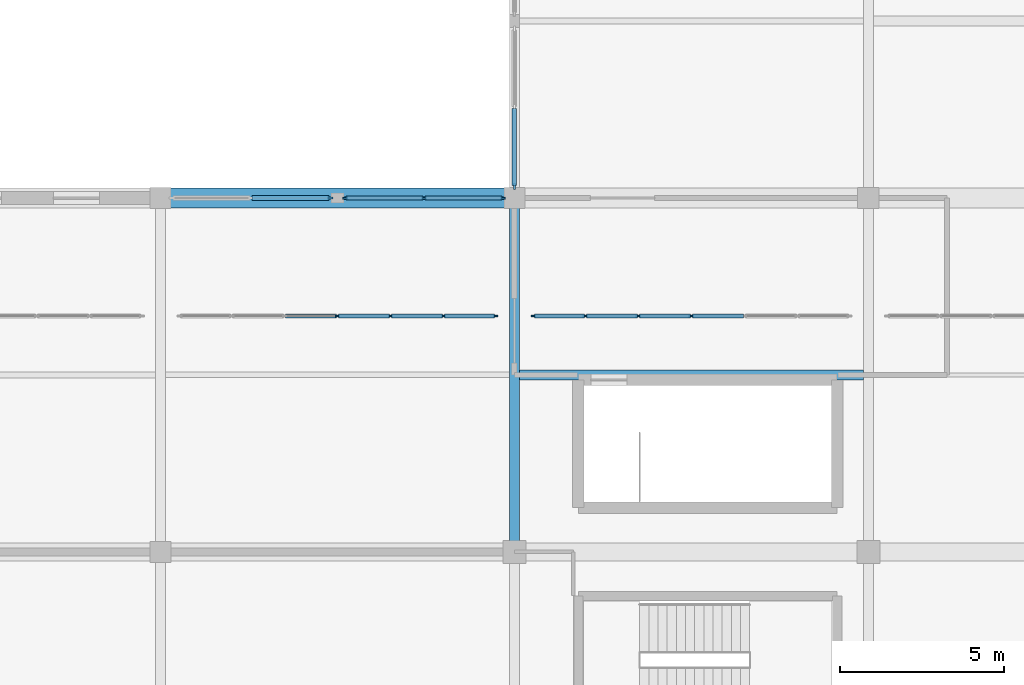
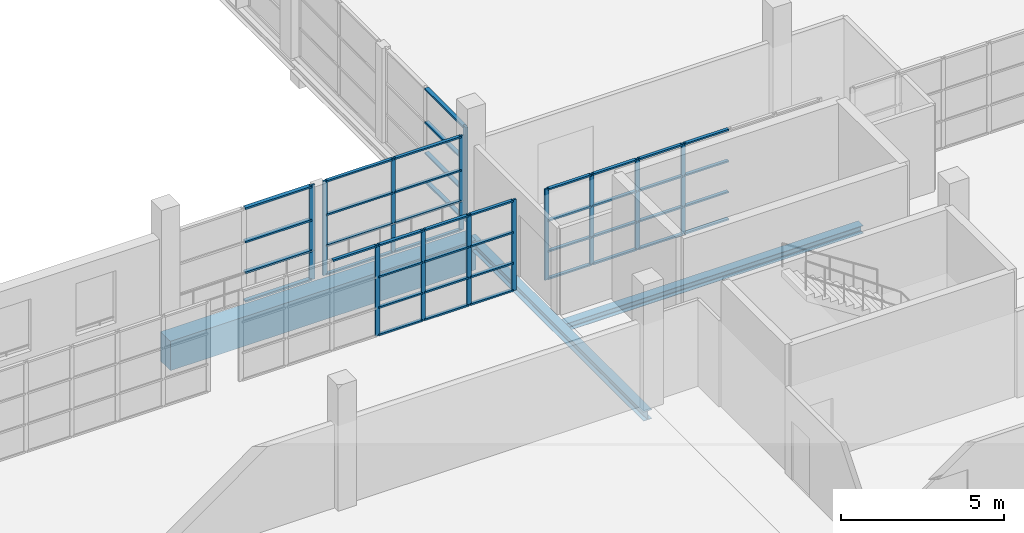
# One storey, part 60 of 142: 58 members, 3 beams, 5 elements without a shape of their own.
"""IFC4 building model written with IfcOpenShell, lengths in metres."""

from ifc_helpers import new_model, si_unit, direction, frame, origin, origin_2d, place, context, subcontext, project, spatial, rectangle, i_section, extrude, material, material_profile, profile_set, type_object, element, aggregate, save


model = new_model("IFC4")

# Units and contexts
model_context = context("Model", 3, precision=1e-05, world=origin(), true_north=direction((0.0, 1.0)))
body_context = subcontext(model_context, "Body", "Model", "MODEL_VIEW")
ifc_project = project(units=[si_unit("LENGTHUNIT", "METRE"), si_unit("AREAUNIT", "SQUARE_METRE"), si_unit("VOLUMEUNIT", "CUBIC_METRE"), si_unit("PLANEANGLEUNIT", "RADIAN"), si_unit("MASSUNIT", "GRAM", prefix="KILO")], contexts=[model_context])

# Site, building, storey
site_placement = place(None, origin())
site = spatial("IfcSite", under=ifc_project, at=site_placement, CompositionType="ELEMENT")
building_placement = place(site_placement, origin())
building = spatial("IfcBuilding", under=site, at=building_placement, Name="Zwinboog Wholesale Market", CompositionType="ELEMENT")
storey_placement = place(building_placement, frame((0.0, 0.0, 5.39990234375)))
storey = spatial("IfcBuildingStorey", under=building, at=storey_placement, Name="L01", CompositionType="ELEMENT", Elevation=5.39990234375)

# Beams
ifc_material_1 = material(Name="Precast concrete C45/55", Category="concrete")
ifc_material_profile_1 = material_profile(ifc_material_1, rectangle(XDim=0.60009765625, YDim=1.10009765625, at=origin_2d()), Name="PC 600x1100")
ifc_profile_set_1 = profile_set([ifc_material_profile_1], Name="Precast concrete C45/55")
beam_type_1 = type_object("IfcBeamType", Name="BT-01", PredefinedType="BEAM", material=ifc_profile_set_1)
beam_1_placement = place(storey_placement, frame((140.39990234375, 54.0, -0.8818359375), z_axis=(1.0, 0.0, 0.0), x_axis=(0.0, 1.0, 0.0)))
element("IfcBeam", 1, at=beam_1_placement, inside=storey, type_object=beam_type_1, Name="BG-01 (BMG-L01-1404-0540-0486)", PredefinedType="BEAM", context=body_context, shape_type="SweptSolid", body=[
    extrude(rectangle(XDim=0.60009765625, YDim=1.10009765625, at=origin_2d()), origin(), (0.0, 0.0, 1.0), 10.800048828125),
])
ifc_material_2 = material(Name="Steel S355", Category="steel")
ifc_material_profile_2 = material_profile(ifc_material_2, i_section(OverallWidth=0.300048828125, OverallDepth=0.35009765625, WebThickness=0.010009765625, FlangeThickness=0.017578125, FilletRadius=0.027099609375, at=origin_2d()), Name="HEA 360")
ifc_profile_set_2 = profile_set([ifc_material_profile_2], Name="Steel S355")
beam_type_2 = type_object("IfcBeamType", Name="BT-17", PredefinedType="BEAM", material=ifc_profile_set_2)
beam_2_placement = place(storey_placement, frame((151.199951171875, 43.199951171875, -0.5068359375), z_axis=(0.0, 1.0, 0.0), x_axis=(-1.0, 0.0, 0.0)))
element("IfcBeam", 2, at=beam_2_placement, inside=storey, type_object=beam_type_2, Name="SB-04 (BMG-L01-1512-0432-0725)", PredefinedType="BEAM", context=body_context, shape_type="SweptSolid", body=[
    extrude(i_section(OverallWidth=0.300048828125, OverallDepth=0.35009765625, WebThickness=0.010009765625, FlangeThickness=0.017578125, FilletRadius=0.027099609375, at=origin_2d()), origin(), (0.0, 0.0, 1.0), 10.800048828125),
])
ifc_material_profile_3 = material_profile(ifc_material_2, i_section(OverallWidth=0.300048828125, OverallDepth=0.2900390625, WebThickness=0.008544921875, FlangeThickness=0.013916015625, FilletRadius=0.027099609375, at=origin_2d()), Name="HEA 300")
ifc_profile_set_3 = profile_set([ifc_material_profile_3], Name="Steel S355")
beam_type_3 = type_object("IfcBeamType", Name="BT-18", PredefinedType="JOIST", material=ifc_profile_set_3)
beam_3_placement = place(storey_placement, frame((151.35009765625, 48.60009765625, -0.476806640625), z_axis=(1.0, 0.0, 0.0), x_axis=(0.0, 1.0, 0.0)))
element("IfcBeam", 3, at=beam_3_placement, inside=storey, type_object=beam_type_3, Name="SJ-01 (BMG-L01-1514-0486-0846)", PredefinedType="JOIST", context=body_context, shape_type="SweptSolid", body=[
    extrude(i_section(OverallWidth=0.300048828125, OverallDepth=0.2900390625, WebThickness=0.008544921875, FlangeThickness=0.013916015625, FilletRadius=0.027099609375, at=origin_2d()), origin(), (0.0, 0.0, 1.0), 10.5),
])

# Curtain wall, member
ifc_material_3 = material(Name="Aluminium thermally broken curtain wall", Category="aluminium")
curtain_wall_type_1 = type_object("IfcCurtainWallType", Name="CWT-HALL-24", PredefinedType="USERDEFINED", material=ifc_material_3)
curtain_wall_1_placement = place(storey_placement, origin())
curtain_wall_1 = element("IfcCurtainWall", 4, at=curtain_wall_1_placement, inside=storey, type_object=curtain_wall_type_1, Name="CW-03 (CW-L01-123)", ObjectType="UNITIZED_CURTAIN_WALL", PredefinedType="USERDEFINED")
ifc_material_4 = material(Name="Aluminium EN AW-6060", Category="aluminium")
ifc_material_profile_4 = material_profile(ifc_material_4, rectangle(XDim=0.06494140625, YDim=0.179931640625, at=origin_2d()), Name="AL 65x180")
ifc_profile_set_4 = profile_set([ifc_material_profile_4], Name="Aluminium EN AW-6060")
member_type_1 = type_object("IfcMemberType", Name="CWM-65x180", PredefinedType="MULLION", material=ifc_profile_set_4)
member_1_placement = place(storey_placement, frame((145.5673828125, 54.0, 0.0), z_axis=(0.0, 0.0, 1.0), x_axis=(0.0, 1.0, 0.0)))
member_1 = element("IfcMember", 5, at=member_1_placement, type_object=member_type_1, Name="CW-03 mullion 3", PredefinedType="MULLION", context=body_context, shape_type="SweptSolid", body=[
    extrude(rectangle(XDim=0.06494140625, YDim=0.179931640625, at=origin_2d()), origin(), (0.0, 0.0, 1.0), 3.530029296875),
])

curtain_wall_type_2 = type_object("IfcCurtainWallType", Name="CWT-STALL-18", PredefinedType="USERDEFINED", material=ifc_material_3)
curtain_wall_2_placement = place(storey_placement, origin())
curtain_wall_2 = element("IfcCurtainWall", 6, at=curtain_wall_2_placement, inside=storey, type_object=curtain_wall_type_2, Name="CW-01 (CW-L01-127)", ObjectType="STOREFRONT_GLAZING", PredefinedType="USERDEFINED")
member_2_placement = place(storey_placement, frame((151.199951171875, 54.3525390625, 0.0), z_axis=(0.0, 0.0, 1.0), x_axis=(-1.0, 0.0, 0.0)))
member_2 = element("IfcMember", 7, at=member_2_placement, type_object=member_type_1, Name="CW-01 mullion 1", PredefinedType="MULLION", context=body_context, shape_type="SweptSolid", body=[
    extrude(rectangle(XDim=0.06494140625, YDim=0.179931640625, at=origin_2d()), origin(), (0.0, 0.0, 1.0), 3.530029296875),
])

# Curtain wall, members
curtain_wall_type_3 = type_object("IfcCurtainWallType", Name="CWT-GAL-16", PredefinedType="USERDEFINED", material=ifc_material_3)
curtain_wall_3_placement = place(storey_placement, origin())
curtain_wall_3 = element("IfcCurtainWall", 8, at=curtain_wall_3_placement, inside=storey, type_object=curtain_wall_type_3, Name="CW-04 (CW-L01-124)", ObjectType="UNITIZED_CURTAIN_WALL", PredefinedType="USERDEFINED")
ifc_material_profile_5 = material_profile(ifc_material_4, rectangle(XDim=0.06005859375, YDim=0.14990234375, at=origin_2d()), Name="AL 60x150")
ifc_profile_set_5 = profile_set([ifc_material_profile_5], Name="Aluminium EN AW-6060")
member_type_2 = type_object("IfcMemberType", Name="CWM-60x150", PredefinedType="MULLION", material=ifc_profile_set_5)
member_3_placement = place(storey_placement, frame((146.030029296875, 54.0, 0.0), z_axis=(0.0, 0.0, 1.0), x_axis=(0.0, 1.0, 0.0)))
member_3 = element("IfcMember", 9, at=member_3_placement, type_object=member_type_2, Name="CW-04 mullion 1", PredefinedType="MULLION", context=body_context, shape_type="SweptSolid", body=[
    extrude(rectangle(XDim=0.06005859375, YDim=0.14990234375, at=origin_2d()), origin(), (0.0, 0.0, 1.0), 3.530029296875),
])
member_4_placement = place(storey_placement, frame((148.43994140625, 54.0, 0.0), z_axis=(0.0, 0.0, 1.0), x_axis=(0.0, 1.0, 0.0)))
member_4 = element("IfcMember", 10, at=member_4_placement, type_object=member_type_2, Name="CW-04 mullion 2", PredefinedType="MULLION", context=body_context, shape_type="SweptSolid", body=[
    extrude(rectangle(XDim=0.06005859375, YDim=0.14990234375, at=origin_2d()), origin(), (0.0, 0.0, 1.0), 3.530029296875),
])
member_5_placement = place(storey_placement, frame((150.85009765625, 54.0, 0.0), z_axis=(0.0, 0.0, 1.0), x_axis=(0.0, 1.0, 0.0)))
member_5 = element("IfcMember", 11, at=member_5_placement, type_object=member_type_2, Name="CW-04 mullion 3", PredefinedType="MULLION", context=body_context, shape_type="SweptSolid", body=[
    extrude(rectangle(XDim=0.06005859375, YDim=0.14990234375, at=origin_2d()), origin(), (0.0, 0.0, 1.0), 3.530029296875),
])

# Member
ifc_material_profile_6 = material_profile(ifc_material_4, rectangle(XDim=0.139892578125, YDim=0.06494140625, at=origin_2d()), Name="AL 65x140")
ifc_profile_set_6 = profile_set([ifc_material_profile_6], Name="Aluminium EN AW-6060")
member_type_3 = type_object("IfcMemberType", Name="CWT-65x140", PredefinedType="USERDEFINED", material=ifc_profile_set_6)
member_6_placement = place(storey_placement, frame((143.1923828125, 54.0, 0.03271484375), z_axis=(1.0, 0.0, 0.0), x_axis=(0.0, 1.0, 0.0)))
member_6 = element("IfcMember", 12, at=member_6_placement, type_object=member_type_3, Name="CW-03 transom 2.1", ObjectType="TRANSOM", PredefinedType="USERDEFINED", context=body_context, shape_type="SweptSolid", body=[
    extrude(rectangle(XDim=0.139892578125, YDim=0.06494140625, at=origin_2d()), origin(), (0.0, 0.0, 1.0), 2.342529296875),
])

member_7_placement = place(storey_placement, frame((143.1923828125, 54.0, 1.10009765625), z_axis=(1.0, 0.0, 0.0), x_axis=(0.0, 1.0, 0.0)))
member_7 = element("IfcMember", 13, at=member_7_placement, type_object=member_type_3, Name="CW-03 transom 2.2", ObjectType="TRANSOM", PredefinedType="USERDEFINED", context=body_context, shape_type="SweptSolid", body=[
    extrude(rectangle(XDim=0.139892578125, YDim=0.06494140625, at=origin_2d()), origin(), (0.0, 0.0, 1.0), 2.342529296875),
])

member_8_placement = place(storey_placement, frame((143.1923828125, 54.0, 2.25), z_axis=(1.0, 0.0, 0.0), x_axis=(0.0, 1.0, 0.0)))
member_8 = element("IfcMember", 14, at=member_8_placement, type_object=member_type_3, Name="CW-03 transom 2.3", ObjectType="TRANSOM", PredefinedType="USERDEFINED", context=body_context, shape_type="SweptSolid", body=[
    extrude(rectangle(XDim=0.139892578125, YDim=0.06494140625, at=origin_2d()), origin(), (0.0, 0.0, 1.0), 2.342529296875),
])

member_9_placement = place(storey_placement, frame((143.1923828125, 54.0, 3.49755859375), z_axis=(1.0, 0.0, 0.0), x_axis=(0.0, 1.0, 0.0)))
member_9 = element("IfcMember", 15, at=member_9_placement, type_object=member_type_3, Name="CW-03 transom 2.4", ObjectType="TRANSOM", PredefinedType="USERDEFINED", context=body_context, shape_type="SweptSolid", body=[
    extrude(rectangle(XDim=0.139892578125, YDim=0.06494140625, at=origin_2d()), origin(), (0.0, 0.0, 1.0), 2.342529296875),
])

aggregate(curtain_wall_1, [member_1, member_6, member_7, member_8, member_9])

member_10_placement = place(storey_placement, frame((151.199951171875, 54.385009765625, 0.03271484375), z_axis=(0.0, 1.0, 0.0), x_axis=(-1.0, 0.0, 0.0)))
member_10 = element("IfcMember", 16, at=member_10_placement, type_object=member_type_3, Name="CW-01 transom 1.1", ObjectType="TRANSOM", PredefinedType="USERDEFINED", context=body_context, shape_type="SweptSolid", body=[
    extrude(rectangle(XDim=0.139892578125, YDim=0.06494140625, at=origin_2d()), origin(), (0.0, 0.0, 1.0), 2.342529296875),
])

member_11_placement = place(storey_placement, frame((151.199951171875, 54.385009765625, 1.10009765625), z_axis=(0.0, 1.0, 0.0), x_axis=(-1.0, 0.0, 0.0)))
member_11 = element("IfcMember", 17, at=member_11_placement, type_object=member_type_3, Name="CW-01 transom 1.2", ObjectType="TRANSOM", PredefinedType="USERDEFINED", context=body_context, shape_type="SweptSolid", body=[
    extrude(rectangle(XDim=0.139892578125, YDim=0.06494140625, at=origin_2d()), origin(), (0.0, 0.0, 1.0), 2.342529296875),
])

member_12_placement = place(storey_placement, frame((151.199951171875, 54.385009765625, 2.25), z_axis=(0.0, 1.0, 0.0), x_axis=(-1.0, 0.0, 0.0)))
member_12 = element("IfcMember", 18, at=member_12_placement, type_object=member_type_3, Name="CW-01 transom 1.3", ObjectType="TRANSOM", PredefinedType="USERDEFINED", context=body_context, shape_type="SweptSolid", body=[
    extrude(rectangle(XDim=0.139892578125, YDim=0.06494140625, at=origin_2d()), origin(), (0.0, 0.0, 1.0), 2.342529296875),
])

member_13_placement = place(storey_placement, frame((151.199951171875, 54.385009765625, 3.49755859375), z_axis=(0.0, 1.0, 0.0), x_axis=(-1.0, 0.0, 0.0)))
member_13 = element("IfcMember", 19, at=member_13_placement, type_object=member_type_3, Name="CW-01 transom 1.4", ObjectType="TRANSOM", PredefinedType="USERDEFINED", context=body_context, shape_type="SweptSolid", body=[
    extrude(rectangle(XDim=0.139892578125, YDim=0.06494140625, at=origin_2d()), origin(), (0.0, 0.0, 1.0), 2.342529296875),
])

aggregate(curtain_wall_2, [member_2, member_10, member_11, member_12, member_13])

ifc_material_profile_7 = material_profile(ifc_material_4, rectangle(XDim=0.110107421875, YDim=0.06005859375, at=origin_2d()), Name="AL 60x110")
ifc_profile_set_7 = profile_set([ifc_material_profile_7], Name="Aluminium EN AW-6060")
member_type_4 = type_object("IfcMemberType", Name="CWT-60x110", PredefinedType="USERDEFINED", material=ifc_profile_set_7)
member_14_placement = place(storey_placement, frame((146.06005859375, 54.0, 0.030029296875), z_axis=(1.0, 0.0, 0.0), x_axis=(0.0, 1.0, 0.0)))
member_14 = element("IfcMember", 20, at=member_14_placement, type_object=member_type_4, Name="CW-04 transom 1.1", ObjectType="TRANSOM", PredefinedType="USERDEFINED", context=body_context, shape_type="SweptSolid", body=[
    extrude(rectangle(XDim=0.110107421875, YDim=0.06005859375, at=origin_2d()), origin(), (0.0, 0.0, 1.0), 2.349853515625),
])

member_15_placement = place(storey_placement, frame((146.06005859375, 54.0, 1.10009765625), z_axis=(1.0, 0.0, 0.0), x_axis=(0.0, 1.0, 0.0)))
member_15 = element("IfcMember", 21, at=member_15_placement, type_object=member_type_4, Name="CW-04 transom 1.2", ObjectType="TRANSOM", PredefinedType="USERDEFINED", context=body_context, shape_type="SweptSolid", body=[
    extrude(rectangle(XDim=0.110107421875, YDim=0.06005859375, at=origin_2d()), origin(), (0.0, 0.0, 1.0), 2.349853515625),
])

member_16_placement = place(storey_placement, frame((146.06005859375, 54.0, 2.25), z_axis=(1.0, 0.0, 0.0), x_axis=(0.0, 1.0, 0.0)))
member_16 = element("IfcMember", 22, at=member_16_placement, type_object=member_type_4, Name="CW-04 transom 1.3", ObjectType="TRANSOM", PredefinedType="USERDEFINED", context=body_context, shape_type="SweptSolid", body=[
    extrude(rectangle(XDim=0.110107421875, YDim=0.06005859375, at=origin_2d()), origin(), (0.0, 0.0, 1.0), 2.349853515625),
])

member_17_placement = place(storey_placement, frame((146.06005859375, 54.0, 3.5), z_axis=(1.0, 0.0, 0.0), x_axis=(0.0, 1.0, 0.0)))
member_17 = element("IfcMember", 23, at=member_17_placement, type_object=member_type_4, Name="CW-04 transom 1.4", ObjectType="TRANSOM", PredefinedType="USERDEFINED", context=body_context, shape_type="SweptSolid", body=[
    extrude(rectangle(XDim=0.110107421875, YDim=0.06005859375, at=origin_2d()), origin(), (0.0, 0.0, 1.0), 2.349853515625),
])

member_18_placement = place(storey_placement, frame((148.469970703125, 54.0, 0.030029296875), z_axis=(1.0, 0.0, 0.0), x_axis=(0.0, 1.0, 0.0)))
member_18 = element("IfcMember", 24, at=member_18_placement, type_object=member_type_4, Name="CW-04 transom 2.1", ObjectType="TRANSOM", PredefinedType="USERDEFINED", context=body_context, shape_type="SweptSolid", body=[
    extrude(rectangle(XDim=0.110107421875, YDim=0.06005859375, at=origin_2d()), origin(), (0.0, 0.0, 1.0), 2.35009765625),
])

member_19_placement = place(storey_placement, frame((148.469970703125, 54.0, 1.10009765625), z_axis=(1.0, 0.0, 0.0), x_axis=(0.0, 1.0, 0.0)))
member_19 = element("IfcMember", 25, at=member_19_placement, type_object=member_type_4, Name="CW-04 transom 2.2", ObjectType="TRANSOM", PredefinedType="USERDEFINED", context=body_context, shape_type="SweptSolid", body=[
    extrude(rectangle(XDim=0.110107421875, YDim=0.06005859375, at=origin_2d()), origin(), (0.0, 0.0, 1.0), 2.35009765625),
])

member_20_placement = place(storey_placement, frame((148.469970703125, 54.0, 2.25), z_axis=(1.0, 0.0, 0.0), x_axis=(0.0, 1.0, 0.0)))
member_20 = element("IfcMember", 26, at=member_20_placement, type_object=member_type_4, Name="CW-04 transom 2.3", ObjectType="TRANSOM", PredefinedType="USERDEFINED", context=body_context, shape_type="SweptSolid", body=[
    extrude(rectangle(XDim=0.110107421875, YDim=0.06005859375, at=origin_2d()), origin(), (0.0, 0.0, 1.0), 2.35009765625),
])

member_21_placement = place(storey_placement, frame((148.469970703125, 54.0, 3.5), z_axis=(1.0, 0.0, 0.0), x_axis=(0.0, 1.0, 0.0)))
member_21 = element("IfcMember", 27, at=member_21_placement, type_object=member_type_4, Name="CW-04 transom 2.4", ObjectType="TRANSOM", PredefinedType="USERDEFINED", context=body_context, shape_type="SweptSolid", body=[
    extrude(rectangle(XDim=0.110107421875, YDim=0.06005859375, at=origin_2d()), origin(), (0.0, 0.0, 1.0), 2.35009765625),
])

aggregate(curtain_wall_3, [member_3, member_4, member_5, member_14, member_15, member_16, member_17, member_18, member_19, member_20, member_21])

# Curtain wall, members
curtain_wall_type_4 = type_object("IfcCurtainWallType", Name="CWT-INT-STALL", PredefinedType="USERDEFINED", material=ifc_material_3)
curtain_wall_4_placement = place(storey_placement, origin())
curtain_wall_4 = element("IfcCurtainWall", 28, at=curtain_wall_4_placement, inside=storey, type_object=curtain_wall_type_4, Name="CW-07 (CW-STL-232)", ObjectType="STOREFRONT_GLAZING", PredefinedType="USERDEFINED")
ifc_material_profile_8 = material_profile(ifc_material_4, rectangle(XDim=0.06005859375, YDim=0.14990234375, at=origin_2d()), Name="AL 60x150")
ifc_profile_set_8 = profile_set([ifc_material_profile_8], Name="Aluminium EN AW-6060")
member_type_5 = type_object("IfcMemberType", Name="CWM-INT-60x120", PredefinedType="MULLION", material=ifc_profile_set_8)
member_22_placement = place(storey_placement, frame((145.800048828125, 50.39990234375, 0.0), z_axis=(0.0, 0.0, 1.0), x_axis=(0.0, 1.0, 0.0)))
member_22 = element("IfcMember", 29, at=member_22_placement, type_object=member_type_5, Name="CW-07 mullion 4", PredefinedType="MULLION", context=body_context, shape_type="SweptSolid", body=[
    extrude(rectangle(XDim=0.06005859375, YDim=0.14990234375, at=origin_2d()), origin(), (0.0, 0.0, 1.0), 3.400146484375),
])
member_23_placement = place(storey_placement, frame((147.416748046875, 50.39990234375, 0.0), z_axis=(0.0, 0.0, 1.0), x_axis=(0.0, 1.0, 0.0)))
member_23 = element("IfcMember", 30, at=member_23_placement, type_object=member_type_5, Name="CW-07 mullion 5", PredefinedType="MULLION", context=body_context, shape_type="SweptSolid", body=[
    extrude(rectangle(XDim=0.06005859375, YDim=0.14990234375, at=origin_2d()), origin(), (0.0, 0.0, 1.0), 3.400146484375),
])
member_24_placement = place(storey_placement, frame((149.033447265625, 50.39990234375, 0.0), z_axis=(0.0, 0.0, 1.0), x_axis=(0.0, 1.0, 0.0)))
member_24 = element("IfcMember", 31, at=member_24_placement, type_object=member_type_5, Name="CW-07 mullion 6", PredefinedType="MULLION", context=body_context, shape_type="SweptSolid", body=[
    extrude(rectangle(XDim=0.06005859375, YDim=0.14990234375, at=origin_2d()), origin(), (0.0, 0.0, 1.0), 3.400146484375),
])
member_25_placement = place(storey_placement, frame((150.6201171875, 50.39990234375, 0.0), z_axis=(0.0, 0.0, 1.0), x_axis=(0.0, 1.0, 0.0)))
member_25 = element("IfcMember", 32, at=member_25_placement, type_object=member_type_5, Name="CW-07 mullion 7", PredefinedType="MULLION", context=body_context, shape_type="SweptSolid", body=[
    extrude(rectangle(XDim=0.06005859375, YDim=0.14990234375, at=origin_2d()), origin(), (0.0, 0.0, 1.0), 3.400146484375),
])

curtain_wall_5_placement = place(storey_placement, origin())
curtain_wall_5 = element("IfcCurtainWall", 33, at=curtain_wall_5_placement, inside=storey, type_object=curtain_wall_type_4, Name="CW-07 (CW-STL-233)", ObjectType="STOREFRONT_GLAZING", PredefinedType="USERDEFINED")
member_26_placement = place(storey_placement, frame((151.780029296875, 50.39990234375, 0.0), z_axis=(0.0, 0.0, 1.0), x_axis=(0.0, 1.0, 0.0)))
member_26 = element("IfcMember", 34, at=member_26_placement, type_object=member_type_5, Name="CW-07 mullion 1", PredefinedType="MULLION", context=body_context, shape_type="SweptSolid", body=[
    extrude(rectangle(XDim=0.06005859375, YDim=0.14990234375, at=origin_2d()), origin(), (0.0, 0.0, 1.0), 3.400146484375),
])
member_27_placement = place(storey_placement, frame((153.36669921875, 50.39990234375, 0.0), z_axis=(0.0, 0.0, 1.0), x_axis=(0.0, 1.0, 0.0)))
member_27 = element("IfcMember", 35, at=member_27_placement, type_object=member_type_5, Name="CW-07 mullion 2", PredefinedType="MULLION", context=body_context, shape_type="SweptSolid", body=[
    extrude(rectangle(XDim=0.06005859375, YDim=0.14990234375, at=origin_2d()), origin(), (0.0, 0.0, 1.0), 3.400146484375),
])
member_28_placement = place(storey_placement, frame((154.9833984375, 50.39990234375, 0.0), z_axis=(0.0, 0.0, 1.0), x_axis=(0.0, 1.0, 0.0)))
member_28 = element("IfcMember", 36, at=member_28_placement, type_object=member_type_5, Name="CW-07 mullion 3", PredefinedType="MULLION", context=body_context, shape_type="SweptSolid", body=[
    extrude(rectangle(XDim=0.06005859375, YDim=0.14990234375, at=origin_2d()), origin(), (0.0, 0.0, 1.0), 3.400146484375),
])
member_29_placement = place(storey_placement, frame((156.60009765625, 50.39990234375, 0.0), z_axis=(0.0, 0.0, 1.0), x_axis=(0.0, 1.0, 0.0)))
member_29 = element("IfcMember", 37, at=member_29_placement, type_object=member_type_5, Name="CW-07 mullion 4", PredefinedType="MULLION", context=body_context, shape_type="SweptSolid", body=[
    extrude(rectangle(XDim=0.06005859375, YDim=0.14990234375, at=origin_2d()), origin(), (0.0, 0.0, 1.0), 3.400146484375),
])

# Member
ifc_material_profile_9 = material_profile(ifc_material_4, rectangle(XDim=0.110107421875, YDim=0.06005859375, at=origin_2d()), Name="AL 60x110")
ifc_profile_set_9 = profile_set([ifc_material_profile_9], Name="Aluminium EN AW-6060")
member_type_6 = type_object("IfcMemberType", Name="CWT-INT-60x100", PredefinedType="USERDEFINED", material=ifc_profile_set_9)
member_30_placement = place(storey_placement, frame((144.21337890625, 50.39990234375, 3.3701171875), z_axis=(1.0, 0.0, 0.0), x_axis=(0.0, 1.0, 0.0)))
member_30 = element("IfcMember", 38, at=member_30_placement, type_object=member_type_6, Name="CW-07 transom 3.4", ObjectType="TRANSOM", PredefinedType="USERDEFINED", context=body_context, shape_type="SweptSolid", body=[
    extrude(rectangle(XDim=0.110107421875, YDim=0.06005859375, at=origin_2d()), origin(), (0.0, 0.0, 1.0), 1.556640625),
])

member_31_placement = place(storey_placement, frame((145.830078125, 50.39990234375, 0.030029296875), z_axis=(1.0, 0.0, 0.0), x_axis=(0.0, 1.0, 0.0)))
member_31 = element("IfcMember", 39, at=member_31_placement, type_object=member_type_6, Name="CW-07 transom 4.1", ObjectType="TRANSOM", PredefinedType="USERDEFINED", context=body_context, shape_type="SweptSolid", body=[
    extrude(rectangle(XDim=0.110107421875, YDim=0.06005859375, at=origin_2d()), origin(), (0.0, 0.0, 1.0), 1.556640625),
])

member_32_placement = place(storey_placement, frame((145.830078125, 50.39990234375, 1.050048828125), z_axis=(1.0, 0.0, 0.0), x_axis=(0.0, 1.0, 0.0)))
member_32 = element("IfcMember", 40, at=member_32_placement, type_object=member_type_6, Name="CW-07 transom 4.2", ObjectType="TRANSOM", PredefinedType="USERDEFINED", context=body_context, shape_type="SweptSolid", body=[
    extrude(rectangle(XDim=0.110107421875, YDim=0.06005859375, at=origin_2d()), origin(), (0.0, 0.0, 1.0), 1.556640625),
])

member_33_placement = place(storey_placement, frame((145.830078125, 50.39990234375, 2.2001953125), z_axis=(1.0, 0.0, 0.0), x_axis=(0.0, 1.0, 0.0)))
member_33 = element("IfcMember", 41, at=member_33_placement, type_object=member_type_6, Name="CW-07 transom 4.3", ObjectType="TRANSOM", PredefinedType="USERDEFINED", context=body_context, shape_type="SweptSolid", body=[
    extrude(rectangle(XDim=0.110107421875, YDim=0.06005859375, at=origin_2d()), origin(), (0.0, 0.0, 1.0), 1.556640625),
])

member_34_placement = place(storey_placement, frame((145.830078125, 50.39990234375, 3.3701171875), z_axis=(1.0, 0.0, 0.0), x_axis=(0.0, 1.0, 0.0)))
member_34 = element("IfcMember", 42, at=member_34_placement, type_object=member_type_6, Name="CW-07 transom 4.4", ObjectType="TRANSOM", PredefinedType="USERDEFINED", context=body_context, shape_type="SweptSolid", body=[
    extrude(rectangle(XDim=0.110107421875, YDim=0.06005859375, at=origin_2d()), origin(), (0.0, 0.0, 1.0), 1.556640625),
])

member_35_placement = place(storey_placement, frame((147.44677734375, 50.39990234375, 0.030029296875), z_axis=(1.0, 0.0, 0.0), x_axis=(0.0, 1.0, 0.0)))
member_35 = element("IfcMember", 43, at=member_35_placement, type_object=member_type_6, Name="CW-07 transom 5.1", ObjectType="TRANSOM", PredefinedType="USERDEFINED", context=body_context, shape_type="SweptSolid", body=[
    extrude(rectangle(XDim=0.110107421875, YDim=0.06005859375, at=origin_2d()), origin(), (0.0, 0.0, 1.0), 1.556640625),
])

member_36_placement = place(storey_placement, frame((147.44677734375, 50.39990234375, 1.050048828125), z_axis=(1.0, 0.0, 0.0), x_axis=(0.0, 1.0, 0.0)))
member_36 = element("IfcMember", 44, at=member_36_placement, type_object=member_type_6, Name="CW-07 transom 5.2", ObjectType="TRANSOM", PredefinedType="USERDEFINED", context=body_context, shape_type="SweptSolid", body=[
    extrude(rectangle(XDim=0.110107421875, YDim=0.06005859375, at=origin_2d()), origin(), (0.0, 0.0, 1.0), 1.556640625),
])

member_37_placement = place(storey_placement, frame((147.44677734375, 50.39990234375, 2.2001953125), z_axis=(1.0, 0.0, 0.0), x_axis=(0.0, 1.0, 0.0)))
member_37 = element("IfcMember", 45, at=member_37_placement, type_object=member_type_6, Name="CW-07 transom 5.3", ObjectType="TRANSOM", PredefinedType="USERDEFINED", context=body_context, shape_type="SweptSolid", body=[
    extrude(rectangle(XDim=0.110107421875, YDim=0.06005859375, at=origin_2d()), origin(), (0.0, 0.0, 1.0), 1.556640625),
])

member_38_placement = place(storey_placement, frame((147.44677734375, 50.39990234375, 3.3701171875), z_axis=(1.0, 0.0, 0.0), x_axis=(0.0, 1.0, 0.0)))
member_38 = element("IfcMember", 46, at=member_38_placement, type_object=member_type_6, Name="CW-07 transom 5.4", ObjectType="TRANSOM", PredefinedType="USERDEFINED", context=body_context, shape_type="SweptSolid", body=[
    extrude(rectangle(XDim=0.110107421875, YDim=0.06005859375, at=origin_2d()), origin(), (0.0, 0.0, 1.0), 1.556640625),
])

member_39_placement = place(storey_placement, frame((149.063232421875, 50.39990234375, 0.030029296875), z_axis=(1.0, 0.0, 0.0), x_axis=(0.0, 1.0, 0.0)))
member_39 = element("IfcMember", 47, at=member_39_placement, type_object=member_type_6, Name="CW-07 transom 6.1", ObjectType="TRANSOM", PredefinedType="USERDEFINED", context=body_context, shape_type="SweptSolid", body=[
    extrude(rectangle(XDim=0.110107421875, YDim=0.06005859375, at=origin_2d()), origin(), (0.0, 0.0, 1.0), 1.52685546875),
])

member_40_placement = place(storey_placement, frame((149.063232421875, 50.39990234375, 1.050048828125), z_axis=(1.0, 0.0, 0.0), x_axis=(0.0, 1.0, 0.0)))
member_40 = element("IfcMember", 48, at=member_40_placement, type_object=member_type_6, Name="CW-07 transom 6.2", ObjectType="TRANSOM", PredefinedType="USERDEFINED", context=body_context, shape_type="SweptSolid", body=[
    extrude(rectangle(XDim=0.110107421875, YDim=0.06005859375, at=origin_2d()), origin(), (0.0, 0.0, 1.0), 1.52685546875),
])

member_41_placement = place(storey_placement, frame((149.063232421875, 50.39990234375, 2.2001953125), z_axis=(1.0, 0.0, 0.0), x_axis=(0.0, 1.0, 0.0)))
member_41 = element("IfcMember", 49, at=member_41_placement, type_object=member_type_6, Name="CW-07 transom 6.3", ObjectType="TRANSOM", PredefinedType="USERDEFINED", context=body_context, shape_type="SweptSolid", body=[
    extrude(rectangle(XDim=0.110107421875, YDim=0.06005859375, at=origin_2d()), origin(), (0.0, 0.0, 1.0), 1.52685546875),
])

member_42_placement = place(storey_placement, frame((149.063232421875, 50.39990234375, 3.3701171875), z_axis=(1.0, 0.0, 0.0), x_axis=(0.0, 1.0, 0.0)))
member_42 = element("IfcMember", 50, at=member_42_placement, type_object=member_type_6, Name="CW-07 transom 6.4", ObjectType="TRANSOM", PredefinedType="USERDEFINED", context=body_context, shape_type="SweptSolid", body=[
    extrude(rectangle(XDim=0.110107421875, YDim=0.06005859375, at=origin_2d()), origin(), (0.0, 0.0, 1.0), 1.52685546875),
])

aggregate(curtain_wall_4, [member_22, member_23, member_24, member_25, member_30, member_31, member_32, member_33, member_34, member_35, member_36, member_37, member_38, member_39, member_40, member_41, member_42])

member_43_placement = place(storey_placement, frame((151.81005859375, 50.39990234375, 0.030029296875), z_axis=(1.0, 0.0, 0.0), x_axis=(0.0, 1.0, 0.0)))
member_43 = element("IfcMember", 51, at=member_43_placement, type_object=member_type_6, Name="CW-07 transom 1.1", ObjectType="TRANSOM", PredefinedType="USERDEFINED", context=body_context, shape_type="SweptSolid", body=[
    extrude(rectangle(XDim=0.110107421875, YDim=0.06005859375, at=origin_2d()), origin(), (0.0, 0.0, 1.0), 1.526611328125),
])

member_44_placement = place(storey_placement, frame((151.81005859375, 50.39990234375, 1.050048828125), z_axis=(1.0, 0.0, 0.0), x_axis=(0.0, 1.0, 0.0)))
member_44 = element("IfcMember", 52, at=member_44_placement, type_object=member_type_6, Name="CW-07 transom 1.2", ObjectType="TRANSOM", PredefinedType="USERDEFINED", context=body_context, shape_type="SweptSolid", body=[
    extrude(rectangle(XDim=0.110107421875, YDim=0.06005859375, at=origin_2d()), origin(), (0.0, 0.0, 1.0), 1.526611328125),
])

member_45_placement = place(storey_placement, frame((151.81005859375, 50.39990234375, 2.2001953125), z_axis=(1.0, 0.0, 0.0), x_axis=(0.0, 1.0, 0.0)))
member_45 = element("IfcMember", 53, at=member_45_placement, type_object=member_type_6, Name="CW-07 transom 1.3", ObjectType="TRANSOM", PredefinedType="USERDEFINED", context=body_context, shape_type="SweptSolid", body=[
    extrude(rectangle(XDim=0.110107421875, YDim=0.06005859375, at=origin_2d()), origin(), (0.0, 0.0, 1.0), 1.526611328125),
])

member_46_placement = place(storey_placement, frame((151.81005859375, 50.39990234375, 3.3701171875), z_axis=(1.0, 0.0, 0.0), x_axis=(0.0, 1.0, 0.0)))
member_46 = element("IfcMember", 54, at=member_46_placement, type_object=member_type_6, Name="CW-07 transom 1.4", ObjectType="TRANSOM", PredefinedType="USERDEFINED", context=body_context, shape_type="SweptSolid", body=[
    extrude(rectangle(XDim=0.110107421875, YDim=0.06005859375, at=origin_2d()), origin(), (0.0, 0.0, 1.0), 1.526611328125),
])

member_47_placement = place(storey_placement, frame((153.396728515625, 50.39990234375, 0.030029296875), z_axis=(1.0, 0.0, 0.0), x_axis=(0.0, 1.0, 0.0)))
member_47 = element("IfcMember", 55, at=member_47_placement, type_object=member_type_6, Name="CW-07 transom 2.1", ObjectType="TRANSOM", PredefinedType="USERDEFINED", context=body_context, shape_type="SweptSolid", body=[
    extrude(rectangle(XDim=0.110107421875, YDim=0.06005859375, at=origin_2d()), origin(), (0.0, 0.0, 1.0), 1.556640625),
])

member_48_placement = place(storey_placement, frame((153.396728515625, 50.39990234375, 1.050048828125), z_axis=(1.0, 0.0, 0.0), x_axis=(0.0, 1.0, 0.0)))
member_48 = element("IfcMember", 56, at=member_48_placement, type_object=member_type_6, Name="CW-07 transom 2.2", ObjectType="TRANSOM", PredefinedType="USERDEFINED", context=body_context, shape_type="SweptSolid", body=[
    extrude(rectangle(XDim=0.110107421875, YDim=0.06005859375, at=origin_2d()), origin(), (0.0, 0.0, 1.0), 1.556640625),
])

member_49_placement = place(storey_placement, frame((153.396728515625, 50.39990234375, 2.2001953125), z_axis=(1.0, 0.0, 0.0), x_axis=(0.0, 1.0, 0.0)))
member_49 = element("IfcMember", 57, at=member_49_placement, type_object=member_type_6, Name="CW-07 transom 2.3", ObjectType="TRANSOM", PredefinedType="USERDEFINED", context=body_context, shape_type="SweptSolid", body=[
    extrude(rectangle(XDim=0.110107421875, YDim=0.06005859375, at=origin_2d()), origin(), (0.0, 0.0, 1.0), 1.556640625),
])

member_50_placement = place(storey_placement, frame((153.396728515625, 50.39990234375, 3.3701171875), z_axis=(1.0, 0.0, 0.0), x_axis=(0.0, 1.0, 0.0)))
member_50 = element("IfcMember", 58, at=member_50_placement, type_object=member_type_6, Name="CW-07 transom 2.4", ObjectType="TRANSOM", PredefinedType="USERDEFINED", context=body_context, shape_type="SweptSolid", body=[
    extrude(rectangle(XDim=0.110107421875, YDim=0.06005859375, at=origin_2d()), origin(), (0.0, 0.0, 1.0), 1.556640625),
])

member_51_placement = place(storey_placement, frame((155.013427734375, 50.39990234375, 0.030029296875), z_axis=(1.0, 0.0, 0.0), x_axis=(0.0, 1.0, 0.0)))
member_51 = element("IfcMember", 59, at=member_51_placement, type_object=member_type_6, Name="CW-07 transom 3.1", ObjectType="TRANSOM", PredefinedType="USERDEFINED", context=body_context, shape_type="SweptSolid", body=[
    extrude(rectangle(XDim=0.110107421875, YDim=0.06005859375, at=origin_2d()), origin(), (0.0, 0.0, 1.0), 1.556640625),
])

member_52_placement = place(storey_placement, frame((155.013427734375, 50.39990234375, 1.050048828125), z_axis=(1.0, 0.0, 0.0), x_axis=(0.0, 1.0, 0.0)))
member_52 = element("IfcMember", 60, at=member_52_placement, type_object=member_type_6, Name="CW-07 transom 3.2", ObjectType="TRANSOM", PredefinedType="USERDEFINED", context=body_context, shape_type="SweptSolid", body=[
    extrude(rectangle(XDim=0.110107421875, YDim=0.06005859375, at=origin_2d()), origin(), (0.0, 0.0, 1.0), 1.556640625),
])

member_53_placement = place(storey_placement, frame((155.013427734375, 50.39990234375, 2.2001953125), z_axis=(1.0, 0.0, 0.0), x_axis=(0.0, 1.0, 0.0)))
member_53 = element("IfcMember", 61, at=member_53_placement, type_object=member_type_6, Name="CW-07 transom 3.3", ObjectType="TRANSOM", PredefinedType="USERDEFINED", context=body_context, shape_type="SweptSolid", body=[
    extrude(rectangle(XDim=0.110107421875, YDim=0.06005859375, at=origin_2d()), origin(), (0.0, 0.0, 1.0), 1.556640625),
])

member_54_placement = place(storey_placement, frame((155.013427734375, 50.39990234375, 3.3701171875), z_axis=(1.0, 0.0, 0.0), x_axis=(0.0, 1.0, 0.0)))
member_54 = element("IfcMember", 62, at=member_54_placement, type_object=member_type_6, Name="CW-07 transom 3.4", ObjectType="TRANSOM", PredefinedType="USERDEFINED", context=body_context, shape_type="SweptSolid", body=[
    extrude(rectangle(XDim=0.110107421875, YDim=0.06005859375, at=origin_2d()), origin(), (0.0, 0.0, 1.0), 1.556640625),
])

member_55_placement = place(storey_placement, frame((156.6298828125, 50.39990234375, 0.030029296875), z_axis=(1.0, 0.0, 0.0), x_axis=(0.0, 1.0, 0.0)))
member_55 = element("IfcMember", 63, at=member_55_placement, type_object=member_type_6, Name="CW-07 transom 4.1", ObjectType="TRANSOM", PredefinedType="USERDEFINED", context=body_context, shape_type="SweptSolid", body=[
    extrude(rectangle(XDim=0.110107421875, YDim=0.06005859375, at=origin_2d()), origin(), (0.0, 0.0, 1.0), 1.556884765625),
])

member_56_placement = place(storey_placement, frame((156.6298828125, 50.39990234375, 1.050048828125), z_axis=(1.0, 0.0, 0.0), x_axis=(0.0, 1.0, 0.0)))
member_56 = element("IfcMember", 64, at=member_56_placement, type_object=member_type_6, Name="CW-07 transom 4.2", ObjectType="TRANSOM", PredefinedType="USERDEFINED", context=body_context, shape_type="SweptSolid", body=[
    extrude(rectangle(XDim=0.110107421875, YDim=0.06005859375, at=origin_2d()), origin(), (0.0, 0.0, 1.0), 1.556884765625),
])

member_57_placement = place(storey_placement, frame((156.6298828125, 50.39990234375, 2.2001953125), z_axis=(1.0, 0.0, 0.0), x_axis=(0.0, 1.0, 0.0)))
member_57 = element("IfcMember", 65, at=member_57_placement, type_object=member_type_6, Name="CW-07 transom 4.3", ObjectType="TRANSOM", PredefinedType="USERDEFINED", context=body_context, shape_type="SweptSolid", body=[
    extrude(rectangle(XDim=0.110107421875, YDim=0.06005859375, at=origin_2d()), origin(), (0.0, 0.0, 1.0), 1.556884765625),
])

member_58_placement = place(storey_placement, frame((156.6298828125, 50.39990234375, 3.3701171875), z_axis=(1.0, 0.0, 0.0), x_axis=(0.0, 1.0, 0.0)))
member_58 = element("IfcMember", 66, at=member_58_placement, type_object=member_type_6, Name="CW-07 transom 4.4", ObjectType="TRANSOM", PredefinedType="USERDEFINED", context=body_context, shape_type="SweptSolid", body=[
    extrude(rectangle(XDim=0.110107421875, YDim=0.06005859375, at=origin_2d()), origin(), (0.0, 0.0, 1.0), 1.556884765625),
])

aggregate(curtain_wall_5, [member_26, member_27, member_28, member_29, member_43, member_44, member_45, member_46, member_47, member_48, member_49, member_50, member_51, member_52, member_53, member_54, member_55, member_56, member_57, member_58])

save(model, "model.ifc")
